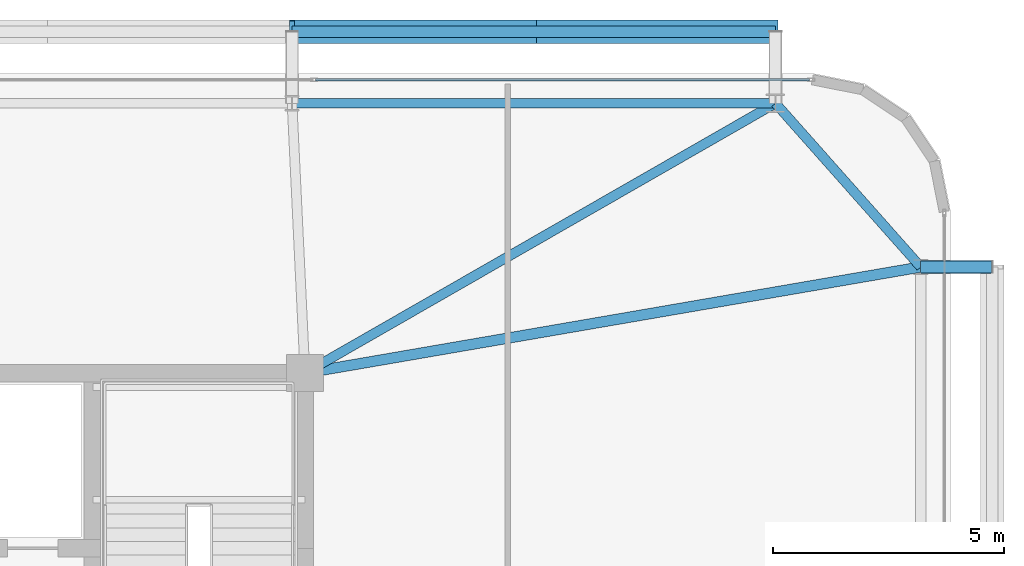
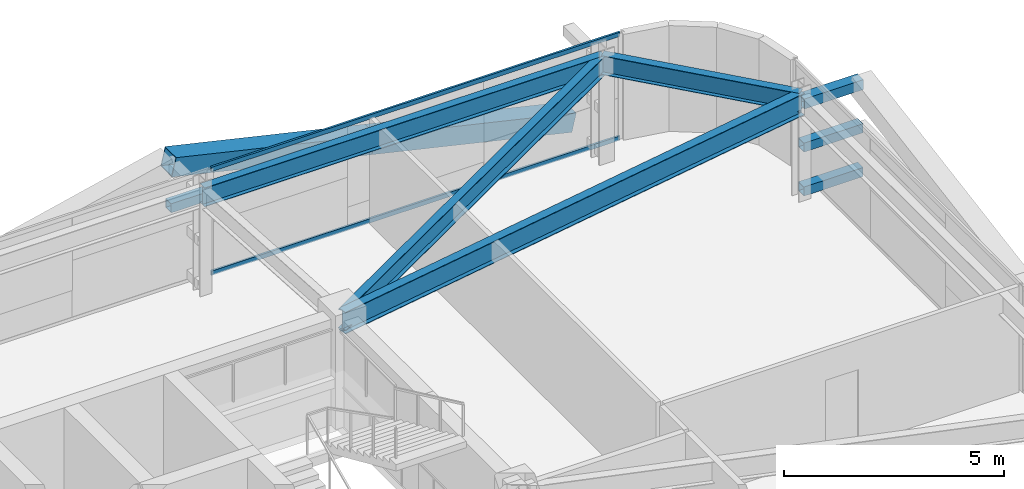
# One storey, part 27 of 44: 8 members, 4 beams, 1 element without a shape of its own.
"""IFC4 building model written with IfcOpenShell, lengths in metres."""

from ifc_helpers import new_model, si_unit, direction, frame, origin, origin_2d, place, context, subcontext, project, spatial, hollow_rectangle, i_section, extrude, source, transform, mapped, material, layer, layer_set, material_profile, profile_set, type_object, element, aggregate, save


model = new_model("IFC4")

# Units and contexts
model_context = context("Model", 3, precision=1e-05, world=origin(), true_north=direction((0.0, 1.0)))
body_context = subcontext(model_context, "Body", "Model", "MODEL_VIEW")
ifc_project = project(units=[si_unit("LENGTHUNIT", "METRE"), si_unit("AREAUNIT", "SQUARE_METRE"), si_unit("VOLUMEUNIT", "CUBIC_METRE"), si_unit("PLANEANGLEUNIT", "RADIAN"), si_unit("MASSUNIT", "GRAM", prefix="KILO")], contexts=[model_context])

# Site, building, storey
site_placement = place(None, origin())
site = spatial("IfcSite", under=ifc_project, at=site_placement, CompositionType="ELEMENT")
building_placement = place(site_placement, origin())
building = spatial("IfcBuilding", under=site, at=building_placement, Name="Taldren Reach Tower", CompositionType="ELEMENT")
storey_placement = place(building_placement, frame((0.0, 0.0, 38.85009765625)))
storey = spatial("IfcBuildingStorey", under=building, at=storey_placement, Name="L11", CompositionType="ELEMENT", Elevation=38.85009765625)

# Beams
ifc_material_1 = material(Name="Steel Gr 350 (350PLUS)", Category="steel")
ifc_material_profile_1 = material_profile(ifc_material_1, i_section(OverallWidth=0.208984375, OverallDepth=0.528076171875, WebThickness=0.009521484375, FlangeThickness=0.01318359375, at=origin_2d()), Name="530UB82.0")
ifc_profile_set_1 = profile_set([ifc_material_profile_1], Name="Steel Gr 350 (350PLUS)")
beam_type_1 = type_object("IfcBeamType", Name="SP-UB530B", PredefinedType="SPANDREL", material=ifc_profile_set_1)
shared_shape_1 = source(origin(), body_context, "Body", "SweptSolid", [
    extrude(i_section(OverallWidth=0.208984375, OverallDepth=0.528076171875, WebThickness=0.009521484375, FlangeThickness=0.01318359375, at=origin_2d()), origin(), (0.0, 0.0, 1.0), 10.47998046875),
])
beam_1_placement = place(storey_placement, frame((61.199951171875, 37.85009765625, 2.666015625), z_axis=(-1.0, 0.0, 0.0), x_axis=(0.0, -1.0, 0.0)))
element("IfcBeam", 1, at=beam_1_placement, inside=storey, type_object=beam_type_1, Name="Perimeter spandrel B1 N6-N5 L11", PredefinedType="SPANDREL", context=body_context, shape_type="MappedRepresentation", body=[
    mapped(shared_shape_1, transform((0.0, 0.0, 0.0), scale=1.0)),
])
shared_shape_2 = source(origin(), body_context, "Body", "SweptSolid", [
    extrude(i_section(OverallWidth=0.208984375, OverallDepth=0.528076171875, WebThickness=0.009521484375, FlangeThickness=0.01318359375, at=origin_2d()), origin(), (0.0, 0.0, 1.0), 4.74609375),
])
beam_2_placement = place(storey_placement, frame((64.35009765625, 34.300048828125, 2.666015625), z_axis=(-0.663721843779, 0.747979487747, 0.0), x_axis=(-0.747979487747, -0.663721843779, 0.0)))
element("IfcBeam", 2, at=beam_2_placement, inside=storey, type_object=beam_type_1, Name="Perimeter spandrel B1 E3-N6 L11", PredefinedType="SPANDREL", context=body_context, shape_type="MappedRepresentation", body=[
    mapped(shared_shape_2, transform((0.0, 0.0, 0.0), scale=1.0)),
])
ifc_material_profile_2 = material_profile(ifc_material_1, i_section(OverallWidth=0.22802734375, OverallDepth=0.60205078125, WebThickness=0.010498046875, FlangeThickness=0.014892578125, at=origin_2d()), Name="610UB101")
ifc_profile_set_2 = profile_set([ifc_material_profile_2], Name="Steel Gr 350 (350PLUS)")
beam_type_2 = type_object("IfcBeamType", Name="BM-UB610B", PredefinedType="BEAM", material=ifc_profile_set_2)
shared_shape_3 = source(origin(), body_context, "Body", "SweptSolid", [
    extrude(i_section(OverallWidth=0.22802734375, OverallDepth=0.60205078125, WebThickness=0.010498046875, FlangeThickness=0.014892578125, at=origin_2d()), origin(), (0.0, 0.0, 1.0), 13.546875),
])
beam_3_placement = place(storey_placement, frame((51.0, 32.0, 2.62890625), z_axis=(0.985481022998, 0.169785609847, 0.0), x_axis=(-0.169785609847, 0.985481022998, 0.0)))
element("IfcBeam", 3, at=beam_3_placement, inside=storey, type_object=beam_type_2, Name="Primary floor girder B1-E3 L11", PredefinedType="BEAM", context=body_context, shape_type="MappedRepresentation", body=[
    mapped(shared_shape_3, transform((0.0, 0.0, 0.0), scale=1.0)),
])
ifc_material_profile_3 = material_profile(ifc_material_1, i_section(OverallWidth=0.208984375, OverallDepth=0.532958984375, WebThickness=0.01025390625, FlangeThickness=0.015625, at=origin_2d()), Name="530UB92.4")
ifc_profile_set_3 = profile_set([ifc_material_profile_3], Name="Steel Gr 350 (350PLUS)")
beam_type_3 = type_object("IfcBeamType", Name="BM-UB530A", PredefinedType="BEAM", material=ifc_profile_set_3)
shared_shape_4 = source(origin(), body_context, "Body", "SweptSolid", [
    extrude(i_section(OverallWidth=0.208984375, OverallDepth=0.532958984375, WebThickness=0.01025390625, FlangeThickness=0.015625, at=origin_2d()), origin(), (0.0, 0.0, 1.0), 11.758544921875),
])
beam_4_placement = place(storey_placement, frame((51.0, 32.0, 2.663330078125), z_axis=(0.867452414141, 0.497520159593, 0.0), x_axis=(-0.497520159593, 0.867452414141, 0.0)))
element("IfcBeam", 4, at=beam_4_placement, inside=storey, type_object=beam_type_3, Name="Primary floor girder B1-N6 L11", PredefinedType="BEAM", context=body_context, shape_type="MappedRepresentation", body=[
    mapped(shared_shape_4, transform((0.0, 0.0, 0.0), scale=1.0)),
])

# Members
ifc_material_2 = material(Name="Steel Gr 450 (C450L0)", Category="steel")
ifc_material_profile_4 = material_profile(ifc_material_2, hollow_rectangle(XDim=0.27490234375, YDim=0.27490234375, WallThickness=0.00927734375, at=origin_2d()), Name="275x275x9.3SHS")
ifc_profile_set_4 = profile_set([ifc_material_profile_4], Name="Steel Gr 450 (C450L0)")
member_type_1 = type_object("IfcMemberType", Name="MB-TIE273", PredefinedType="STRUT", material=ifc_profile_set_4)
shared_shape_5 = source(origin(), body_context, "Body", "SweptSolid", [
    extrude(hollow_rectangle(XDim=0.27490234375, YDim=0.27490234375, WallThickness=0.00927734375, at=origin_2d()), origin(), (0.0, 0.0, 1.0), 1.5498046875),
])
member_1_placement = place(storey_placement, frame((64.35009765625, 34.300048828125, 2.64990234375), z_axis=(1.0, 0.0, 0.0), x_axis=(0.0, 1.0, 0.0)))
element("IfcMember", 5, at=member_1_placement, inside=storey, type_object=member_type_1, Name="Exoskeleton diaphragm tie strut B1-E3 L11", PredefinedType="STRUT", context=body_context, shape_type="MappedRepresentation", body=[
    mapped(shared_shape_5, transform((0.0, 0.0, 0.0), scale=1.0)),
])
ifc_material_profile_5 = material_profile(ifc_material_2, hollow_rectangle(XDim=0.510009765625, YDim=0.510009765625, WallThickness=0.02001953125, at=origin_2d()), Name="510x510x20.0SHS")
ifc_profile_set_5 = profile_set([ifc_material_profile_5], Name="Steel Gr 450 (C450L0)")
member_type_2 = type_object("IfcMemberType", Name="MB-EXO508", PredefinedType="BRACE", material=ifc_profile_set_5)
shared_shape_6 = source(origin(), body_context, "Body", "SweptSolid", [
    extrude(hollow_rectangle(XDim=0.510009765625, YDim=0.510009765625, WallThickness=0.02001953125, at=origin_2d()), origin(), (0.0, 0.0, 1.0), 5.37890625),
])
for number, where, z_axis, x_axis, name in (
    (6, (61.199951171875, 39.39990234375, 0.219970703125), (-0.974161966843, 0.0, 0.225850531007), (0.0, -1.0, 0.0), "Exoskeleton Diagrid Brace B1-N5 L11"),
    (7, (55.9599609375, 39.39990234375, 1.434814453125), (-0.97415197996, 0.0, 0.225893603143), (0.0, -1.0, 0.0), "Exoskeleton Diagrid Brace B1-N5 L11"),
):
    element("IfcMember", number, at=place(storey_placement, frame(where, z_axis=z_axis, x_axis=x_axis)), inside=storey, type_object=member_type_2, Name=name, PredefinedType="BRACE", context=body_context, shape_type="MappedRepresentation", body=[
        mapped(shared_shape_6, transform((0.0, 0.0, 0.0), scale=1.0)),
    ])
ifc_material_3 = material(Name="Steel Gr 350 (C350L0)", Category="steel")
ifc_material_profile_6 = material_profile(ifc_material_3, hollow_rectangle(XDim=0.25, YDim=0.25, WallThickness=0.010009765625, at=origin_2d()), Name="250x250x10.0SHS")
ifc_profile_set_6 = profile_set([ifc_material_profile_6], Name="Steel Gr 350 (C350L0)")
member_type_3 = type_object("IfcMemberType", Name="MB-POST250", PredefinedType="POST", material=ifc_profile_set_6)
shared_shape_7 = source(origin(), body_context, "Body", "SweptSolid", [
    extrude(hollow_rectangle(XDim=0.25, YDim=0.25, WallThickness=0.010009765625, at=origin_2d()), origin(), (0.0, 0.0, 1.0), 10.47998046875),
])
member_2_placement = place(storey_placement, frame((50.719970703125, 39.39990234375, 1.434814453125), z_axis=(1.0, 0.0, 0.0), x_axis=(0.0, 1.0, 0.0)))
element("IfcMember", 8, at=member_2_placement, inside=storey, type_object=member_type_3, Name="Exoskeleton mid-height ring chord B1-N5 L11", PredefinedType="POST", context=body_context, shape_type="MappedRepresentation", body=[
    mapped(shared_shape_7, transform((0.0, 0.0, 0.0), scale=1.0)),
])
shared_shape_8 = source(origin(), body_context, "Body", "SweptSolid", [
    extrude(hollow_rectangle(XDim=0.25, YDim=0.25, WallThickness=0.010009765625, at=origin_2d()), origin(), (0.0, 0.0, 1.0), 1.5498046875),
])
for number, where, z_axis, x_axis, name in (
    (9, (64.35009765625, 34.300048828125, 0.219970703125), (1.0, 0.0, 0.0), (0.0, 1.0, 0.0), "Exoskeleton base diaphragm tie strut B1-E3 L11"),
    (10, (64.35009765625, 34.300048828125, 1.434814453125), (1.0, 0.0, 0.0), (0.0, 1.0, 0.0), "Exoskeleton mid-tier diaphragm tie B1-E3 L11"),
):
    element("IfcMember", number, at=place(storey_placement, frame(where, z_axis=z_axis, x_axis=x_axis)), inside=storey, type_object=member_type_3, Name=name, PredefinedType="POST", context=body_context, shape_type="MappedRepresentation", body=[
        mapped(shared_shape_8, transform((0.0, 0.0, 0.0), scale=1.0)),
    ])

# Curtain wall, members
ifc_material_4 = material(Name="Aluminium and Low-E Glass Unitised System", Category="aluminium")
ifc_layer = layer(ifc_material_4, 0.159912109375)
ifc_layer_set = layer_set([ifc_layer], Name="Aluminium and Low-E Glass Unitised System")
curtain_wall_type = type_object("IfcCurtainWallType", Name="CW-SYS-2", PredefinedType="NOTDEFINED", material=ifc_layer_set)
curtain_wall_placement = place(storey_placement, origin())
curtain_wall = element("IfcCurtainWall", 11, at=curtain_wall_placement, inside=storey, type_object=curtain_wall_type, Name="Unitised curtain wall CW-L11-N", PredefinedType="NOTDEFINED")
ifc_material_5 = material(Name="Anodised Aluminium 6063-T6", Category="aluminium")
ifc_material_profile_7 = material_profile(ifc_material_5, hollow_rectangle(XDim=0.054931640625, YDim=0.1201171875, WallThickness=0.0029296875, at=origin_2d()), Name="ALU-120x55x3RHS")
ifc_profile_set_7 = profile_set([ifc_material_profile_7], Name="Anodised Aluminium 6063-T6")
member_type_4 = type_object("IfcMemberType", Name="CW-TRN-135", PredefinedType="USERDEFINED", material=ifc_profile_set_7)
shared_shape_9 = source(origin(), body_context, "Body", "SweptSolid", [
    extrude(hollow_rectangle(XDim=0.054931640625, YDim=0.1201171875, WallThickness=0.0029296875, at=origin_2d()), origin(), (0.0, 0.0, 1.0), 10.70263671875),
])
member_3_placement = place(storey_placement, frame((61.93505859375, 38.360107421875, 0.02734375), z_axis=(-1.0, 0.0, 0.0), x_axis=(0.0, -1.0, 0.0)))
member_3 = element("IfcMember", 12, at=member_3_placement, type_object=member_type_4, Name="CW-2 transom 1.1", ObjectType="TRANSOM", PredefinedType="USERDEFINED", context=body_context, shape_type="MappedRepresentation", body=[
    mapped(shared_shape_9, transform((0.0, 0.0, 0.0), scale=1.0)),
])
member_4_placement = place(storey_placement, frame((61.93505859375, 38.360107421875, 2.90234375), z_axis=(-1.0, 0.0, 0.0), x_axis=(0.0, -1.0, 0.0)))
member_4 = element("IfcMember", 13, at=member_4_placement, type_object=member_type_4, Name="CW-2 transom 1.2", ObjectType="TRANSOM", PredefinedType="USERDEFINED", context=body_context, shape_type="MappedRepresentation", body=[
    mapped(shared_shape_9, transform((0.0, 0.0, 0.0), scale=1.0)),
])
aggregate(curtain_wall, [member_3, member_4])

save(model, "model.ifc")
